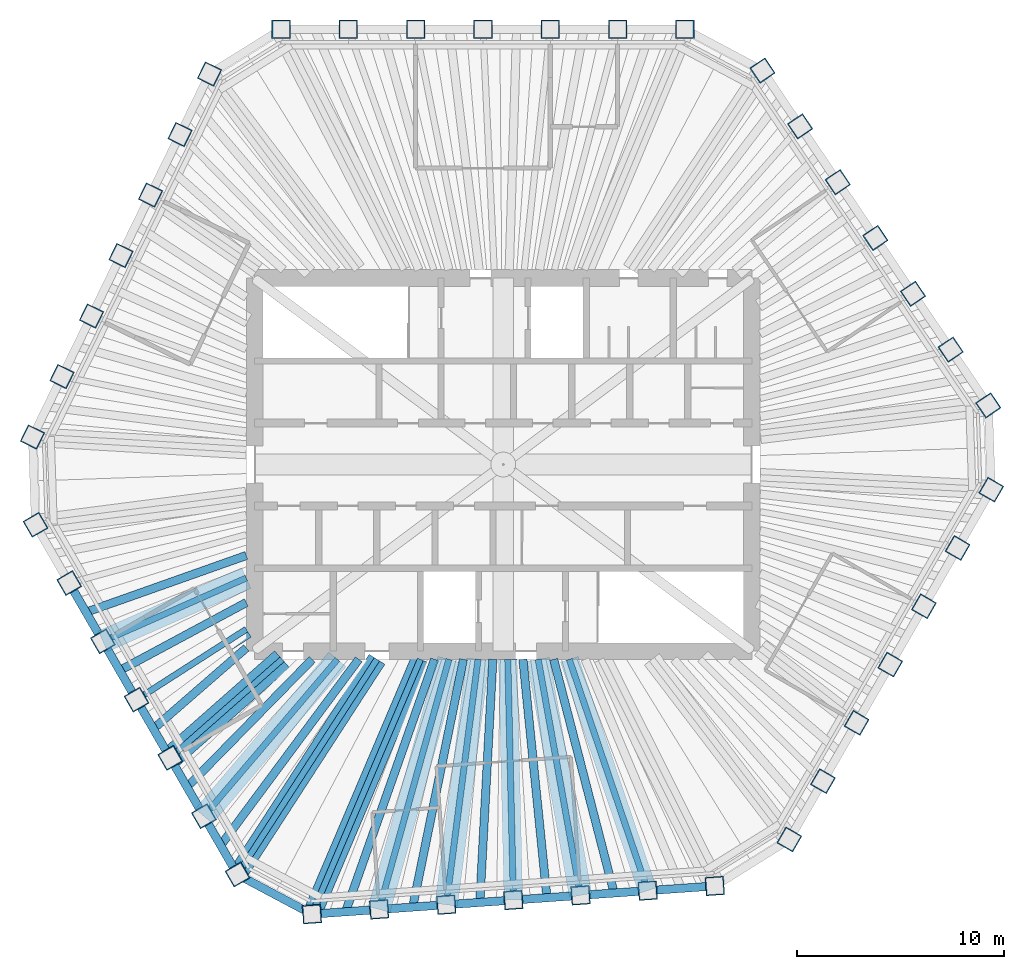
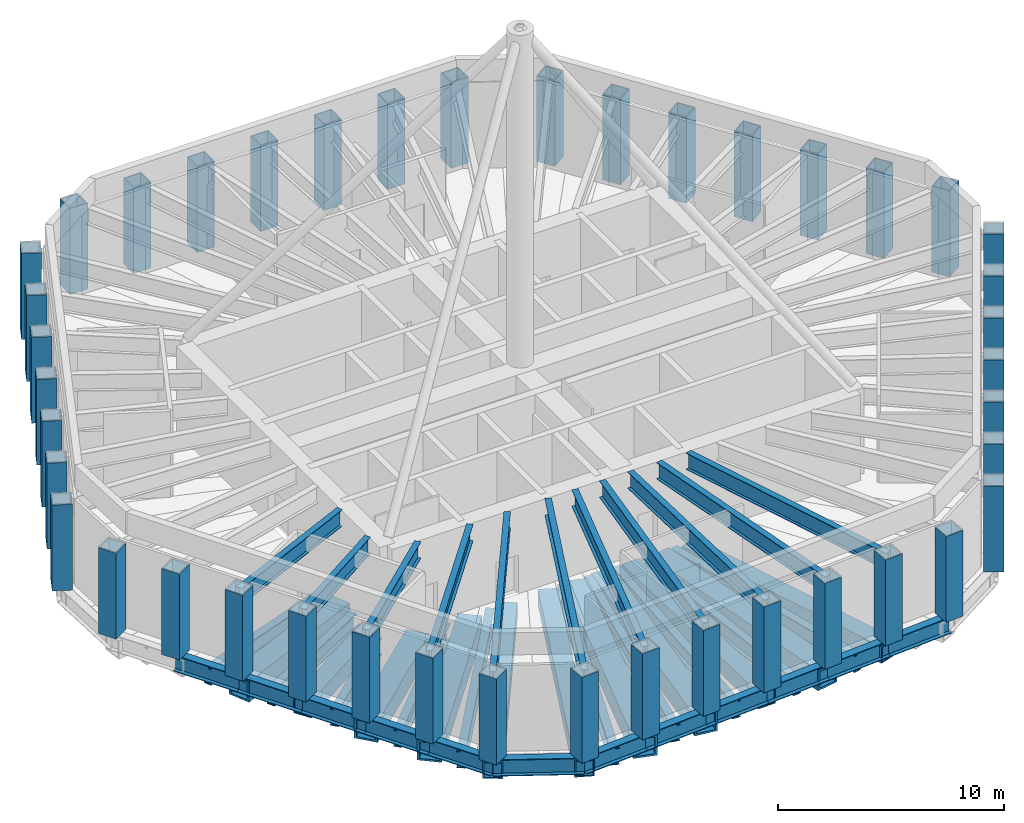
# One storey, part 1 of 9: 44 beams, 42 columns.
"""IFC4 building model written with IfcOpenShell, lengths in metres."""

from ifc_helpers import new_model, si_unit, direction, frame, origin, origin_2d, place, context, subcontext, project, spatial, hollow_rectangle, i_section, extrude, material, material_profile, profile_set, type_object, element, save


model = new_model("IFC4")

# Units and contexts
model_context = context("Model", 3, precision=1e-05, world=origin(), true_north=direction((0.0, 1.0)))
body_context = subcontext(model_context, "Body", "Model", "MODEL_VIEW")
ifc_project = project(units=[si_unit("LENGTHUNIT", "METRE"), si_unit("AREAUNIT", "SQUARE_METRE"), si_unit("VOLUMEUNIT", "CUBIC_METRE"), si_unit("PLANEANGLEUNIT", "RADIAN"), si_unit("MASSUNIT", "GRAM", prefix="KILO")], contexts=[model_context])

# Site, building, storey
site_placement = place(None, origin())
site = spatial("IfcSite", under=ifc_project, at=site_placement, CompositionType="ELEMENT")
building_placement = place(site_placement, origin())
building = spatial("IfcBuilding", under=site, at=building_placement, Name="Qingtian Harvest Tower", CompositionType="ELEMENT")
storey_placement = place(building_placement, frame((0.0, 0.0, 343.60009765625)))
storey = spatial("IfcBuildingStorey", under=building, at=storey_placement, Name="L76", CompositionType="ELEMENT", Elevation=343.60009765625)

# Columns
ifc_material_1 = material(Name="Steel SM570MC", Category="steel")
ifc_material_profile_1 = material_profile(ifc_material_1, hollow_rectangle(XDim=0.89990234375, YDim=0.89990234375, WallThickness=0.050048828125, at=origin_2d()), Name="BOX900x900x50")
ifc_profile_set_1 = profile_set([ifc_material_profile_1], Name="Steel SM570MC")
column_type = type_object("IfcColumnType", Name="Tube column TC8 BOX900x900x50", PredefinedType="COLUMN", material=ifc_profile_set_1)
for number, where, z_axis, x_axis, name in (
    (1, (-10.72216796875, 21.0, 0.0), (0.0, 0.0, 1.0), (-1.0, 0.0, 0.0), "Tube column TC8 N0"),
    (2, (-7.47412109375, 21.0, 0.0), (0.0, 0.0, 1.0), (-1.0, 0.0, 0.0), "Tube column TC8 N1"),
    (3, (-4.226318359375, 21.0, 0.0), (0.0, 0.0, 1.0), (-1.0, 0.0, 0.0), "Tube column TC8 N2"),
    (4, (-0.978271484375, 21.0, 0.0), (0.0, 0.0, 1.0), (-1.0, 0.0, 0.0), "Tube column TC8 N3"),
    (5, (2.269775390625, 21.0, 0.0), (0.0, 0.0, 1.0), (-1.0, 0.0, 0.0), "Tube column TC8 N4"),
    (6, (5.517822265625, 21.0, 0.0), (0.0, 0.0, 1.0), (-1.0, 0.0, 0.0), "Tube column TC8 N5"),
    (7, (8.765869140625, 21.0, 0.0), (0.0, 0.0, 1.0), (-1.0, 0.0, 0.0), "Tube column TC8 N6"),
    (8, (12.508056640625, 19.01025390625, 0.0), (0.0, 0.0, 1.0), (-0.559192903471, 0.829037572555, 0.0), "Tube column TC8 NE0"),
    (9, (14.32421875, 16.317626953125, 0.0), (0.0, 0.0, 1.0), (-0.559192903471, 0.829037572555, 0.0), "Tube column TC8 NE1"),
    (10, (16.140625, 13.624755859375, 0.0), (0.0, 0.0, 1.0), (-0.559192903471, 0.829037572555, 0.0), "Tube column TC8 NE2"),
    (11, (17.956787109375, 10.93212890625, 0.0), (0.0, 0.0, 1.0), (-0.559192903471, 0.829037572555, 0.0), "Tube column TC8 NE3"),
    (12, (19.77294921875, 8.2392578125, 0.0), (0.0, 0.0, 1.0), (-0.559192903471, 0.829037572555, 0.0), "Tube column TC8 NE4"),
    (13, (21.58935546875, 5.546630859375, 0.0), (0.0, 0.0, 1.0), (-0.559192903471, 0.829037572555, 0.0), "Tube column TC8 NE5"),
    (14, (23.405517578125, 2.85400390625, 0.0), (0.0, 0.0, 1.0), (-0.559192903471, 0.829037572555, 0.0), "Tube column TC8 NE6"),
    (15, (23.547607421875, -1.21435546875, 0.0), (0.0, 0.0, 1.0), (0.5, 0.866025403784, 0.0), "Tube column TC8 SE0"),
    (16, (21.923583984375, -4.027099609375, 0.0), (0.0, 0.0, 1.0), (0.5, 0.866025403784, 0.0), "Tube column TC8 SE1"),
    (17, (20.299560546875, -6.840087890625, 0.0), (0.0, 0.0, 1.0), (0.5, 0.866025403784, 0.0), "Tube column TC8 SE2"),
    (18, (18.675537109375, -9.65283203125, 0.0), (0.0, 0.0, 1.0), (0.5, 0.866025403784, 0.0), "Tube column TC8 SE3"),
    (19, (17.051513671875, -12.4658203125, 0.0), (0.0, 0.0, 1.0), (0.5, 0.866025403784, 0.0), "Tube column TC8 SE4"),
    (20, (15.427490234375, -15.278564453125, 0.0), (0.0, 0.0, 1.0), (0.5, 0.866025403784, 0.0), "Tube column TC8 SE5"),
    (21, (13.803466796875, -18.091552734375, 0.0), (0.0, 0.0, 1.0), (0.5, 0.866025403784, 0.0), "Tube column TC8 SE6"),
    (22, (10.20947265625, -20.33740234375, 0.0), (0.0, 0.0, 1.0), (0.99756405026, 0.069756473744, 0.0), "Tube column TC8 S0"),
    (23, (6.96923828125, -20.56396484375, 0.0), (0.0, 0.0, 1.0), (0.99756405026, 0.069756473744, 0.0), "Tube column TC8 S1"),
    (24, (3.729248046875, -20.79052734375, 0.0), (0.0, 0.0, 1.0), (0.99756405026, 0.069756473744, 0.0), "Tube column TC8 S2"),
    (25, (0.489013671875, -21.01708984375, 0.0), (0.0, 0.0, 1.0), (0.99756405026, 0.069756473744, 0.0), "Tube column TC8 S3"),
    (26, (-2.7509765625, -21.24365234375, 0.0), (0.0, 0.0, 1.0), (0.99756405026, 0.069756473744, 0.0), "Tube column TC8 S4"),
    (27, (-5.9912109375, -21.47021484375, 0.0), (0.0, 0.0, 1.0), (0.99756405026, 0.069756473744, 0.0), "Tube column TC8 S5"),
    (28, (-9.231201171875, -21.69677734375, 0.0), (0.0, 0.0, 1.0), (0.99756405026, 0.069756473744, 0.0), "Tube column TC8 S6"),
    (29, (-12.825439453125, -19.78564453125, 0.0), (0.0, 0.0, 1.0), (0.5, -0.866025403784, 0.0), "Tube column TC8 SW0"),
    (30, (-14.449462890625, -16.972900390625, 0.0), (0.0, 0.0, 1.0), (0.5, -0.866025403784, 0.0), "Tube column TC8 SW1"),
    (31, (-16.073486328125, -14.159912109375, 0.0), (0.0, 0.0, 1.0), (0.5, -0.866025403784, 0.0), "Tube column TC8 SW2"),
    (32, (-17.697509765625, -11.34716796875, 0.0), (0.0, 0.0, 1.0), (0.5, -0.866025403784, 0.0), "Tube column TC8 SW3"),
    (33, (-19.321533203125, -8.5341796875, 0.0), (0.0, 0.0, 1.0), (0.5, -0.866025403784, 0.0), "Tube column TC8 SW4"),
    (34, (-20.945556640625, -5.721435546875, 0.0), (0.0, 0.0, 1.0), (0.5, -0.866025403784, 0.0), "Tube column TC8 SW5"),
    (35, (-22.569580078125, -2.908447265625, 0.0), (0.0, 0.0, 1.0), (0.5, -0.866025403784, 0.0), "Tube column TC8 SW6"),
    (36, (-22.71728515625, 1.3271484375, 0.0), (0.0, 0.0, 1.0), (-0.438371146789, -0.898794046299, 0.0), "Tube column TC8 NW0"),
    (37, (-21.29345703125, 4.246337890625, 0.0), (0.0, 0.0, 1.0), (-0.438371146789, -0.898794046299, 0.0), "Tube column TC8 NW1"),
    (38, (-19.86962890625, 7.165771484375, 0.0), (0.0, 0.0, 1.0), (-0.438371146789, -0.898794046299, 0.0), "Tube column TC8 NW2"),
    (39, (-18.44580078125, 10.0849609375, 0.0), (0.0, 0.0, 1.0), (-0.438371146789, -0.898794046299, 0.0), "Tube column TC8 NW3"),
    (40, (-17.02197265625, 13.00439453125, 0.0), (0.0, 0.0, 1.0), (-0.438371146789, -0.898794046299, 0.0), "Tube column TC8 NW4"),
    (41, (-15.59814453125, 15.923583984375, 0.0), (0.0, 0.0, 1.0), (-0.438371146789, -0.898794046299, 0.0), "Tube column TC8 NW5"),
    (42, (-14.17431640625, 18.8427734375, 0.0), (0.0, 0.0, 1.0), (-0.438371146789, -0.898794046299, 0.0), "Tube column TC8 NW6"),
):
    element("IfcColumn", number, at=place(storey_placement, frame(where, z_axis=z_axis, x_axis=x_axis)), inside=storey, type_object=column_type, Name=name, PredefinedType="COLUMN", context=body_context, shape_type="SweptSolid", body=[
        extrude(hollow_rectangle(XDim=0.89990234375, YDim=0.89990234375, WallThickness=0.050048828125, at=origin_2d()), origin(), (0.0, 0.0, 1.0), 4.64990234375),
    ])

# Beams
ifc_material_2 = material(Name="Steel SN490B", Category="steel")
ifc_material_profile_2 = material_profile(ifc_material_2, i_section(OverallWidth=0.39990234375, OverallDepth=0.89990234375, WebThickness=0.01904296875, FlangeThickness=0.035888671875, at=origin_2d()), Name="H900x400x19x36")
ifc_profile_set_2 = profile_set([ifc_material_profile_2], Name="Steel SN490B")
beam_type_1 = type_object("IfcBeamType", Name="Floor joist J4 H900x400x19x36", PredefinedType="JOIST", material=ifc_profile_set_2)
beam_1_placement = place(storey_placement, frame((5.349365234375, -20.67724609375, -0.7001953125), z_axis=(-0.250457336117, 0.968127637652, 0.0), x_axis=(-0.968127637652, -0.250457336117, 0.0)))
element("IfcBeam", 43, at=beam_1_placement, inside=storey, type_object=beam_type_1, Name="Floor joist J4 S1", PredefinedType="JOIST", context=body_context, shape_type="SweptSolid", body=[
    extrude(i_section(OverallWidth=0.39990234375, OverallDepth=0.89990234375, WebThickness=0.01904296875, FlangeThickness=0.035888671875, at=origin_2d()), origin(), (0.0, 0.0, 1.0), 11.648681640625),
])
beam_2_placement = place(storey_placement, frame((2.109130859375, -20.90380859375, -0.7001953125), z_axis=(-0.100381738783, 0.994948996943, 0.0), x_axis=(-0.994948996943, -0.100381738783, 0.0)))
element("IfcBeam", 44, at=beam_2_placement, inside=storey, type_object=beam_type_1, Name="Floor joist J4 S2", PredefinedType="JOIST", context=body_context, shape_type="SweptSolid", body=[
    extrude(i_section(OverallWidth=0.39990234375, OverallDepth=0.89990234375, WebThickness=0.01904296875, FlangeThickness=0.035888671875, at=origin_2d()), origin(), (0.0, 0.0, 1.0), 11.562255859375),
])
beam_3_placement = place(storey_placement, frame((-1.130859375, -21.13037109375, -0.7001953125), z_axis=(0.053432551321, 0.998571460868, 0.0), x_axis=(-0.998571460868, 0.053432551321, 0.0)))
element("IfcBeam", 45, at=beam_3_placement, inside=storey, type_object=beam_type_1, Name="Floor joist J4 S3", PredefinedType="JOIST", context=body_context, shape_type="SweptSolid", body=[
    extrude(i_section(OverallWidth=0.39990234375, OverallDepth=0.89990234375, WebThickness=0.01904296875, FlangeThickness=0.035888671875, at=origin_2d()), origin(), (0.0, 0.0, 1.0), 11.747314453125),
])
beam_4_placement = place(storey_placement, frame((-4.37109375, -21.35693359375, -0.7001953125), z_axis=(0.200514926646, 0.97969064719, 0.0), x_axis=(-0.97969064719, 0.200514926646, 0.0)))
element("IfcBeam", 46, at=beam_4_placement, inside=storey, type_object=beam_type_1, Name="Floor joist J4 S4", PredefinedType="JOIST", context=body_context, shape_type="SweptSolid", body=[
    extrude(i_section(OverallWidth=0.39990234375, OverallDepth=0.89990234375, WebThickness=0.01904296875, FlangeThickness=0.035888671875, at=origin_2d()), origin(), (0.0, 0.0, 1.0), 12.204833984375),
])
beam_5_placement = place(storey_placement, frame((-7.611083984375, -21.58349609375, -0.7001953125), z_axis=(0.332565071267, 0.9430803112, 0.0), x_axis=(-0.9430803112, 0.332565071267, 0.0)))
element("IfcBeam", 47, at=beam_5_placement, inside=storey, type_object=beam_type_1, Name="Floor joist J4 S5", PredefinedType="JOIST", context=body_context, shape_type="SweptSolid", body=[
    extrude(i_section(OverallWidth=0.39990234375, OverallDepth=0.89990234375, WebThickness=0.01904296875, FlangeThickness=0.035888671875, at=origin_2d()), origin(), (0.0, 0.0, 1.0), 12.9189453125),
])
beam_6_placement = place(storey_placement, frame((-13.637451171875, -18.37939453125, -0.7001953125), z_axis=(0.595869637911, 0.803081175608, 0.0), x_axis=(-0.803081175608, 0.595869637911, 0.0)))
element("IfcBeam", 48, at=beam_6_placement, inside=storey, type_object=beam_type_1, Name="Floor joist J4 SW0", PredefinedType="JOIST", context=body_context, shape_type="SweptSolid", body=[
    extrude(i_section(OverallWidth=0.39990234375, OverallDepth=0.89990234375, WebThickness=0.01904296875, FlangeThickness=0.035888671875, at=origin_2d()), origin(), (0.0, 0.0, 1.0), 11.181396484375),
])
beam_7_placement = place(storey_placement, frame((-15.261474609375, -15.56640625, -0.7001953125), z_axis=(0.700075085428, 0.714069236673, 0.0), x_axis=(-0.714069236673, 0.700075085428, 0.0)))
element("IfcBeam", 49, at=beam_7_placement, inside=storey, type_object=beam_type_1, Name="Floor joist J4 SW1", PredefinedType="JOIST", context=body_context, shape_type="SweptSolid", body=[
    extrude(i_section(OverallWidth=0.39990234375, OverallDepth=0.89990234375, WebThickness=0.01904296875, FlangeThickness=0.035888671875, at=origin_2d()), origin(), (0.0, 0.0, 1.0), 8.6357421875),
])
beam_8_placement = place(storey_placement, frame((-16.885498046875, -12.753662109375, -0.7001953125), z_axis=(0.754351783553, 0.656470400437, 0.0), x_axis=(-0.656470400437, 0.754351783553, 0.0)))
element("IfcBeam", 50, at=beam_8_placement, inside=storey, type_object=beam_type_1, Name="Floor joist J4 SW2", PredefinedType="JOIST", context=body_context, shape_type="SweptSolid", body=[
    extrude(i_section(OverallWidth=0.39990234375, OverallDepth=0.89990234375, WebThickness=0.01904296875, FlangeThickness=0.035888671875, at=origin_2d()), origin(), (0.0, 0.0, 1.0), 5.9462890625),
])
beam_9_placement = place(storey_placement, frame((-18.509521484375, -9.940673828125, -0.7001953125), z_axis=(0.880999592364, 0.473117023847, 0.0), x_axis=(-0.473117023847, 0.880999592364, 0.0)))
element("IfcBeam", 51, at=beam_9_placement, inside=storey, type_object=beam_type_1, Name="Floor joist J4 SW3", PredefinedType="JOIST", context=body_context, shape_type="SweptSolid", body=[
    extrude(i_section(OverallWidth=0.39990234375, OverallDepth=0.89990234375, WebThickness=0.01904296875, FlangeThickness=0.035888671875, at=origin_2d()), origin(), (0.0, 0.0, 1.0), 6.934814453125),
])
beam_10_placement = place(storey_placement, frame((-20.133544921875, -7.1279296875, -0.7001953125), z_axis=(0.942664093486, 0.333743025174, 0.0), x_axis=(-0.333743025174, 0.942664093486, 0.0)))
element("IfcBeam", 52, at=beam_10_placement, inside=storey, type_object=beam_type_1, Name="Floor joist J4 SW4", PredefinedType="JOIST", context=body_context, shape_type="SweptSolid", body=[
    extrude(i_section(OverallWidth=0.39990234375, OverallDepth=0.89990234375, WebThickness=0.01904296875, FlangeThickness=0.035888671875, at=origin_2d()), origin(), (0.0, 0.0, 1.0), 8.2041015625),
])
ifc_material_3 = material(Name="Steel SM570MC", Category="steel")
ifc_material_profile_3 = material_profile(ifc_material_3, hollow_rectangle(XDim=0.89990234375, YDim=0.89990234375, WallThickness=0.06005859375, at=origin_2d()), Name="BOX900x900x60")
ifc_profile_set_3 = profile_set([ifc_material_profile_3], Name="Steel SM570MC")
beam_type_2 = type_object("IfcBeamType", Name="Outrigger chord beam OC1 BOX900x900x60", PredefinedType="BEAM", material=ifc_profile_set_3)
beam_11_placement = place(storey_placement, frame((6.96923828125, -20.56396484375, -0.7001953125), z_axis=(-0.320964658262, 0.947091172035, 0.0), x_axis=(-0.947091172035, -0.320964658262, 0.0)))
element("IfcBeam", 53, at=beam_11_placement, inside=storey, type_object=beam_type_2, Name="Floor beam OC1 S1", PredefinedType="BEAM", context=body_context, shape_type="SweptSolid", body=[
    extrude(hollow_rectangle(XDim=0.89990234375, YDim=0.89990234375, WallThickness=0.06005859375, at=origin_2d()), origin(), (0.0, 0.0, 1.0), 11.787841796875),
])
beam_12_placement = place(storey_placement, frame((0.489013671875, -21.01708984375, -0.7001953125), z_axis=(-0.023257829451, 0.9997295001, 0.0), x_axis=(-0.9997295001, -0.023257829451, 0.0)))
element("IfcBeam", 54, at=beam_12_placement, inside=storey, type_object=beam_type_2, Name="Floor beam OC1 S3", PredefinedType="BEAM", context=body_context, shape_type="SweptSolid", body=[
    extrude(hollow_rectangle(XDim=0.89990234375, YDim=0.89990234375, WallThickness=0.06005859375, at=origin_2d()), origin(), (0.0, 0.0, 1.0), 11.620361328125),
])
beam_13_placement = place(storey_placement, frame((-9.231201171875, -21.69677734375, -0.7001953125), z_axis=(0.391505797179, 0.920175641264, 0.0), x_axis=(-0.920175641264, 0.391505797179, 0.0)))
element("IfcBeam", 55, at=beam_13_placement, inside=storey, type_object=beam_type_2, Name="Floor beam OC1 S6", PredefinedType="BEAM", context=body_context, shape_type="SweptSolid", body=[
    extrude(hollow_rectangle(XDim=0.89990234375, YDim=0.89990234375, WallThickness=0.06005859375, at=origin_2d()), origin(), (0.0, 0.0, 1.0), 13.363525390625),
])
beam_14_placement = place(storey_placement, frame((-12.825439453125, -19.78564453125, -0.7001953125), z_axis=(0.543934037964, 0.839127977334, 0.0), x_axis=(-0.839127977334, 0.543934037964, 0.0)))
element("IfcBeam", 56, at=beam_14_placement, inside=storey, type_object=beam_type_2, Name="Floor beam OC1 SW0", PredefinedType="BEAM", context=body_context, shape_type="SweptSolid", body=[
    extrude(hollow_rectangle(XDim=0.89990234375, YDim=0.89990234375, WallThickness=0.06005859375, at=origin_2d()), origin(), (0.0, 0.0, 1.0), 12.376708984375),
])
beam_15_placement = place(storey_placement, frame((-17.697509765625, -11.34716796875, -0.7001953125), z_axis=(0.841819476537, 0.539759176785, 0.0), x_axis=(-0.539759176785, 0.841819476537, 0.0)))
element("IfcBeam", 57, at=beam_15_placement, inside=storey, type_object=beam_type_2, Name="Floor beam OC1 SW3", PredefinedType="BEAM", context=body_context, shape_type="SweptSolid", body=[
    extrude(hollow_rectangle(XDim=0.89990234375, YDim=0.89990234375, WallThickness=0.06005859375, at=origin_2d()), origin(), (0.0, 0.0, 1.0), 6.29296875),
])
ifc_material_4 = material(Name="Steel SN490B", Category="steel")
ifc_material_profile_4 = material_profile(ifc_material_4, i_section(OverallWidth=0.300048828125, OverallDepth=0.89990234375, WebThickness=0.01611328125, FlangeThickness=0.028076171875, at=origin_2d()), Name="H900x300x16x28")
ifc_profile_set_4 = profile_set([ifc_material_profile_4], Name="Steel SN490B")
beam_type_3 = type_object("IfcBeamType", Name="Roof beam RB1 H900x300x16x28", PredefinedType="BEAM", material=ifc_profile_set_4)
beam_16_placement = place(storey_placement, frame((6.96923828125, -20.56396484375, 4.199951171875), z_axis=(-0.320964658262, 0.947091172035, 0.0), x_axis=(-0.947091172035, -0.320964658262, 0.0)))
element("IfcBeam", 58, at=beam_16_placement, inside=storey, type_object=beam_type_3, Name="Roof beam RB1 S1", PredefinedType="BEAM", context=body_context, shape_type="SweptSolid", body=[
    extrude(i_section(OverallWidth=0.300048828125, OverallDepth=0.89990234375, WebThickness=0.01611328125, FlangeThickness=0.028076171875, at=origin_2d()), origin(), (0.0, 0.0, 1.0), 11.787841796875),
])
beam_17_placement = place(storey_placement, frame((3.729248046875, -20.79052734375, 4.199951171875), z_axis=(-0.176558725829, 0.984290107811, 0.0), x_axis=(-0.984290107811, -0.176558725829, 0.0)))
element("IfcBeam", 59, at=beam_17_placement, inside=storey, type_object=beam_type_3, Name="Roof beam RB1 S2", PredefinedType="BEAM", context=body_context, shape_type="SweptSolid", body=[
    extrude(i_section(OverallWidth=0.300048828125, OverallDepth=0.89990234375, WebThickness=0.01611328125, FlangeThickness=0.028076171875, at=origin_2d()), origin(), (0.0, 0.0, 1.0), 11.572509765625),
])
beam_18_placement = place(storey_placement, frame((0.489013671875, -21.01708984375, 4.199951171875), z_axis=(-0.023257829451, 0.9997295001, 0.0), x_axis=(-0.9997295001, -0.023257829451, 0.0)))
element("IfcBeam", 60, at=beam_18_placement, inside=storey, type_object=beam_type_3, Name="Roof beam RB1 S3", PredefinedType="BEAM", context=body_context, shape_type="SweptSolid", body=[
    extrude(i_section(OverallWidth=0.300048828125, OverallDepth=0.89990234375, WebThickness=0.01611328125, FlangeThickness=0.028076171875, at=origin_2d()), origin(), (0.0, 0.0, 1.0), 11.620361328125),
])
beam_19_placement = place(storey_placement, frame((-2.7509765625, -21.24365234375, 4.199951171875), z_axis=(0.128421483878, 0.991719679385, 0.0), x_axis=(-0.991719679385, 0.128421483878, 0.0)))
element("IfcBeam", 61, at=beam_19_placement, inside=storey, type_object=beam_type_3, Name="Roof beam RB1 S4", PredefinedType="BEAM", context=body_context, shape_type="SweptSolid", body=[
    extrude(i_section(OverallWidth=0.300048828125, OverallDepth=0.89990234375, WebThickness=0.01611328125, FlangeThickness=0.028076171875, at=origin_2d()), origin(), (0.0, 0.0, 1.0), 11.942626953125),
])
beam_20_placement = place(storey_placement, frame((-5.9912109375, -21.47021484375, 4.199951171875), z_axis=(0.268777110088, 0.963202400896, 0.0), x_axis=(-0.963202400896, 0.268777110088, 0.0)))
element("IfcBeam", 62, at=beam_20_placement, inside=storey, type_object=beam_type_3, Name="Roof beam RB1 S5", PredefinedType="BEAM", context=body_context, shape_type="SweptSolid", body=[
    extrude(i_section(OverallWidth=0.300048828125, OverallDepth=0.89990234375, WebThickness=0.01611328125, FlangeThickness=0.028076171875, at=origin_2d()), origin(), (0.0, 0.0, 1.0), 12.531494140625),
])
beam_21_placement = place(storey_placement, frame((-9.231201171875, -21.69677734375, 4.199951171875), z_axis=(0.391505797179, 0.920175641264, 0.0), x_axis=(-0.920175641264, 0.391505797179, 0.0)))
element("IfcBeam", 63, at=beam_21_placement, inside=storey, type_object=beam_type_3, Name="Roof beam RB1 S6", PredefinedType="BEAM", context=body_context, shape_type="SweptSolid", body=[
    extrude(i_section(OverallWidth=0.300048828125, OverallDepth=0.89990234375, WebThickness=0.01611328125, FlangeThickness=0.028076171875, at=origin_2d()), origin(), (0.0, 0.0, 1.0), 13.363525390625),
])
beam_22_placement = place(storey_placement, frame((-12.825439453125, -19.78564453125, 4.199951171875), z_axis=(0.543934037964, 0.839127977334, 0.0), x_axis=(-0.839127977334, 0.543934037964, 0.0)))
element("IfcBeam", 64, at=beam_22_placement, inside=storey, type_object=beam_type_3, Name="Roof beam RB1 SW0", PredefinedType="BEAM", context=body_context, shape_type="SweptSolid", body=[
    extrude(i_section(OverallWidth=0.300048828125, OverallDepth=0.89990234375, WebThickness=0.01611328125, FlangeThickness=0.028076171875, at=origin_2d()), origin(), (0.0, 0.0, 1.0), 12.376708984375),
])
beam_23_placement = place(storey_placement, frame((-14.449462890625, -16.972900390625, 4.199951171875), z_axis=(0.648230392117, 0.761444258457, 0.0), x_axis=(-0.761444258457, 0.648230392117, 0.0)))
element("IfcBeam", 65, at=beam_23_placement, inside=storey, type_object=beam_type_3, Name="Roof beam RB1 SW1", PredefinedType="BEAM", context=body_context, shape_type="SweptSolid", body=[
    extrude(i_section(OverallWidth=0.300048828125, OverallDepth=0.89990234375, WebThickness=0.01611328125, FlangeThickness=0.028076171875, at=origin_2d()), origin(), (0.0, 0.0, 1.0), 9.945556640625),
])
beam_24_placement = place(storey_placement, frame((-16.073486328125, -14.159912109375, 4.199951171875), z_axis=(0.750362998803, 0.661025997997, 0.0), x_axis=(-0.661025997997, 0.750362998803, 0.0)))
element("IfcBeam", 66, at=beam_24_placement, inside=storey, type_object=beam_type_3, Name="Roof beam RB1 SW2", PredefinedType="BEAM", context=body_context, shape_type="SweptSolid", body=[
    extrude(i_section(OverallWidth=0.300048828125, OverallDepth=0.89990234375, WebThickness=0.01611328125, FlangeThickness=0.028076171875, at=origin_2d()), origin(), (0.0, 0.0, 1.0), 7.200927734375),
])
beam_25_placement = place(storey_placement, frame((-17.697509765625, -11.34716796875, 4.199951171875), z_axis=(0.841819476537, 0.539759176785, 0.0), x_axis=(-0.539759176785, 0.841819476537, 0.0)))
element("IfcBeam", 67, at=beam_25_placement, inside=storey, type_object=beam_type_3, Name="Roof beam RB1 SW3", PredefinedType="BEAM", context=body_context, shape_type="SweptSolid", body=[
    extrude(i_section(OverallWidth=0.300048828125, OverallDepth=0.89990234375, WebThickness=0.01611328125, FlangeThickness=0.028076171875, at=origin_2d()), origin(), (0.0, 0.0, 1.0), 6.29296875),
])
beam_26_placement = place(storey_placement, frame((-19.321533203125, -8.5341796875, 4.199951171875), z_axis=(0.914748451897, 0.404023848, 0.0), x_axis=(-0.404023848, 0.914748451897, 0.0)))
element("IfcBeam", 68, at=beam_26_placement, inside=storey, type_object=beam_type_3, Name="Roof beam RB1 SW4", PredefinedType="BEAM", context=body_context, shape_type="SweptSolid", body=[
    extrude(i_section(OverallWidth=0.300048828125, OverallDepth=0.89990234375, WebThickness=0.01611328125, FlangeThickness=0.028076171875, at=origin_2d()), origin(), (0.0, 0.0, 1.0), 7.566650390625),
])
ifc_material_5 = material(Name="Steel SN490B", Category="steel")
ifc_material_profile_5 = material_profile(ifc_material_5, i_section(OverallWidth=0.39990234375, OverallDepth=0.89990234375, WebThickness=0.01904296875, FlangeThickness=0.035888671875, at=origin_2d()), Name="H900x400x19x36")
ifc_profile_set_5 = profile_set([ifc_material_profile_5], Name="Steel SN490B")
beam_type_4 = type_object("IfcBeamType", Name="Spandrel beam SB4 H900x400x19x36", PredefinedType="SPANDREL", material=ifc_profile_set_5)
beam_27_placement = place(storey_placement, frame((10.20947265625, -20.33740234375, -0.4501953125), z_axis=(-0.9975644093, -0.069751339047, 0.0), x_axis=(0.069751339047, -0.9975644093, 0.0)))
element("IfcBeam", 69, at=beam_27_placement, inside=storey, type_object=beam_type_4, Name="Spandrel SB4 S0", PredefinedType="SPANDREL", context=body_context, shape_type="SweptSolid", body=[
    extrude(i_section(OverallWidth=0.39990234375, OverallDepth=0.89990234375, WebThickness=0.01904296875, FlangeThickness=0.035888671875, at=origin_2d()), origin(), (0.0, 0.0, 1.0), 3.248046875),
])
beam_28_placement = place(storey_placement, frame((6.96923828125, -20.56396484375, -0.4501953125), z_axis=(-0.997564043571, -0.069756569394, 0.0), x_axis=(0.069756569394, -0.997564043571, 0.0)))
element("IfcBeam", 70, at=beam_28_placement, inside=storey, type_object=beam_type_4, Name="Spandrel SB4 S1", PredefinedType="SPANDREL", context=body_context, shape_type="SweptSolid", body=[
    extrude(i_section(OverallWidth=0.39990234375, OverallDepth=0.89990234375, WebThickness=0.01904296875, FlangeThickness=0.035888671875, at=origin_2d()), origin(), (0.0, 0.0, 1.0), 3.247802734375),
])
beam_29_placement = place(storey_placement, frame((3.729248046875, -20.79052734375, -0.4501953125), z_axis=(-0.9975644093, -0.069751339047, 0.0), x_axis=(0.069751339047, -0.9975644093, 0.0)))
element("IfcBeam", 71, at=beam_29_placement, inside=storey, type_object=beam_type_4, Name="Spandrel SB4 S2", PredefinedType="SPANDREL", context=body_context, shape_type="SweptSolid", body=[
    extrude(i_section(OverallWidth=0.39990234375, OverallDepth=0.89990234375, WebThickness=0.01904296875, FlangeThickness=0.035888671875, at=origin_2d()), origin(), (0.0, 0.0, 1.0), 3.248046875),
])
beam_30_placement = place(storey_placement, frame((0.489013671875, -21.01708984375, -0.4501953125), z_axis=(-0.997564043571, -0.069756569394, 0.0), x_axis=(0.069756569394, -0.997564043571, 0.0)))
element("IfcBeam", 72, at=beam_30_placement, inside=storey, type_object=beam_type_4, Name="Spandrel SB4 S3", PredefinedType="SPANDREL", context=body_context, shape_type="SweptSolid", body=[
    extrude(i_section(OverallWidth=0.39990234375, OverallDepth=0.89990234375, WebThickness=0.01904296875, FlangeThickness=0.035888671875, at=origin_2d()), origin(), (0.0, 0.0, 1.0), 3.247802734375),
])
beam_31_placement = place(storey_placement, frame((-2.7509765625, -21.24365234375, -0.4501953125), z_axis=(-0.9975644093, -0.069751339047, 0.0), x_axis=(0.069751339047, -0.9975644093, 0.0)))
element("IfcBeam", 73, at=beam_31_placement, inside=storey, type_object=beam_type_4, Name="Spandrel SB4 S4", PredefinedType="SPANDREL", context=body_context, shape_type="SweptSolid", body=[
    extrude(i_section(OverallWidth=0.39990234375, OverallDepth=0.89990234375, WebThickness=0.01904296875, FlangeThickness=0.035888671875, at=origin_2d()), origin(), (0.0, 0.0, 1.0), 3.248046875),
])
beam_32_placement = place(storey_placement, frame((-5.9912109375, -21.47021484375, -0.4501953125), z_axis=(-0.997564043571, -0.069756569394, 0.0), x_axis=(0.069756569394, -0.997564043571, 0.0)))
element("IfcBeam", 74, at=beam_32_placement, inside=storey, type_object=beam_type_4, Name="Spandrel SB4 S5", PredefinedType="SPANDREL", context=body_context, shape_type="SweptSolid", body=[
    extrude(i_section(OverallWidth=0.39990234375, OverallDepth=0.89990234375, WebThickness=0.01904296875, FlangeThickness=0.035888671875, at=origin_2d()), origin(), (0.0, 0.0, 1.0), 3.247802734375),
])
beam_33_placement = place(storey_placement, frame((-9.231201171875, -21.69677734375, -0.4501953125), z_axis=(-0.882943273379, 0.469479686456, 0.0), x_axis=(-0.469479686456, -0.882943273379, 0.0)))
element("IfcBeam", 75, at=beam_33_placement, inside=storey, type_object=beam_type_4, Name="Spandrel SB4 SC", PredefinedType="SPANDREL", context=body_context, shape_type="SweptSolid", body=[
    extrude(i_section(OverallWidth=0.39990234375, OverallDepth=0.89990234375, WebThickness=0.01904296875, FlangeThickness=0.035888671875, at=origin_2d()), origin(), (0.0, 0.0, 1.0), 4.07080078125),
])
beam_34_placement = place(storey_placement, frame((-12.825439453125, -19.78564453125, -0.4501953125), z_axis=(-0.500019593356, 0.866014091259, 0.0), x_axis=(-0.866014091259, -0.500019593356, 0.0)))
element("IfcBeam", 76, at=beam_34_placement, inside=storey, type_object=beam_type_4, Name="Spandrel SB4 SW0", PredefinedType="SPANDREL", context=body_context, shape_type="SweptSolid", body=[
    extrude(i_section(OverallWidth=0.39990234375, OverallDepth=0.89990234375, WebThickness=0.01904296875, FlangeThickness=0.035888671875, at=origin_2d()), origin(), (0.0, 0.0, 1.0), 3.247802734375),
])
beam_35_placement = place(storey_placement, frame((-14.449462890625, -16.972900390625, -0.4501953125), z_axis=(-0.499987045439, 0.866032882975, 0.0), x_axis=(-0.866032882975, -0.499987045439, 0.0)))
element("IfcBeam", 77, at=beam_35_placement, inside=storey, type_object=beam_type_4, Name="Spandrel SB4 SW1", PredefinedType="SPANDREL", context=body_context, shape_type="SweptSolid", body=[
    extrude(i_section(OverallWidth=0.39990234375, OverallDepth=0.89990234375, WebThickness=0.01904296875, FlangeThickness=0.035888671875, at=origin_2d()), origin(), (0.0, 0.0, 1.0), 3.248046875),
])
beam_36_placement = place(storey_placement, frame((-16.073486328125, -14.159912109375, -0.4501953125), z_axis=(-0.500019593356, 0.866014091259, 0.0), x_axis=(-0.866014091259, -0.500019593356, 0.0)))
element("IfcBeam", 78, at=beam_36_placement, inside=storey, type_object=beam_type_4, Name="Spandrel SB4 SW2", PredefinedType="SPANDREL", context=body_context, shape_type="SweptSolid", body=[
    extrude(i_section(OverallWidth=0.39990234375, OverallDepth=0.89990234375, WebThickness=0.01904296875, FlangeThickness=0.035888671875, at=origin_2d()), origin(), (0.0, 0.0, 1.0), 3.247802734375),
])
beam_37_placement = place(storey_placement, frame((-17.697509765625, -11.34716796875, -0.4501953125), z_axis=(-0.499987045439, 0.866032882975, 0.0), x_axis=(-0.866032882975, -0.499987045439, 0.0)))
element("IfcBeam", 79, at=beam_37_placement, inside=storey, type_object=beam_type_4, Name="Spandrel SB4 SW3", PredefinedType="SPANDREL", context=body_context, shape_type="SweptSolid", body=[
    extrude(i_section(OverallWidth=0.39990234375, OverallDepth=0.89990234375, WebThickness=0.01904296875, FlangeThickness=0.035888671875, at=origin_2d()), origin(), (0.0, 0.0, 1.0), 3.248046875),
])
beam_38_placement = place(storey_placement, frame((-19.321533203125, -8.5341796875, -0.4501953125), z_axis=(-0.500019593356, 0.866014091259, 0.0), x_axis=(-0.866014091259, -0.500019593356, 0.0)))
element("IfcBeam", 80, at=beam_38_placement, inside=storey, type_object=beam_type_4, Name="Spandrel SB4 SW4", PredefinedType="SPANDREL", context=body_context, shape_type="SweptSolid", body=[
    extrude(i_section(OverallWidth=0.39990234375, OverallDepth=0.89990234375, WebThickness=0.01904296875, FlangeThickness=0.035888671875, at=origin_2d()), origin(), (0.0, 0.0, 1.0), 3.247802734375),
])
ifc_material_6 = material(Name="Steel SM570MC", Category="steel")
ifc_material_profile_6 = material_profile(ifc_material_6, hollow_rectangle(XDim=1.10009765625, YDim=1.10009765625, WallThickness=0.10009765625, at=origin_2d()), Name="BOX1100x1100x100")
ifc_profile_set_6 = profile_set([ifc_material_profile_6], Name="Steel SM570MC")
beam_type_5 = type_object("IfcBeamType", Name="Transfer floor beam FB9 BOX1100x1100x100", PredefinedType="BEAM", material=ifc_profile_set_6)
beam_39_placement = place(storey_placement, frame((3.729248046875, -20.79052734375, -0.800048828125), z_axis=(-0.176558725829, 0.984290107811, 0.0), x_axis=(-0.984290107811, -0.176558725829, 0.0)))
element("IfcBeam", 81, at=beam_39_placement, inside=storey, type_object=beam_type_5, Name="Floor beam FB9 S2", PredefinedType="BEAM", context=body_context, shape_type="SweptSolid", body=[
    extrude(hollow_rectangle(XDim=1.10009765625, YDim=1.10009765625, WallThickness=0.10009765625, at=origin_2d()), origin(), (0.0, 0.0, 1.0), 11.572509765625),
])
beam_40_placement = place(storey_placement, frame((-2.7509765625, -21.24365234375, -0.800048828125), z_axis=(0.128421483878, 0.991719679385, 0.0), x_axis=(-0.991719679385, 0.128421483878, 0.0)))
element("IfcBeam", 82, at=beam_40_placement, inside=storey, type_object=beam_type_5, Name="Floor beam FB9 S4", PredefinedType="BEAM", context=body_context, shape_type="SweptSolid", body=[
    extrude(hollow_rectangle(XDim=1.10009765625, YDim=1.10009765625, WallThickness=0.10009765625, at=origin_2d()), origin(), (0.0, 0.0, 1.0), 11.942626953125),
])
beam_41_placement = place(storey_placement, frame((-5.9912109375, -21.47021484375, -0.800048828125), z_axis=(0.268777110088, 0.963202400896, 0.0), x_axis=(-0.963202400896, 0.268777110088, 0.0)))
element("IfcBeam", 83, at=beam_41_placement, inside=storey, type_object=beam_type_5, Name="Floor beam FB9 S5", PredefinedType="BEAM", context=body_context, shape_type="SweptSolid", body=[
    extrude(hollow_rectangle(XDim=1.10009765625, YDim=1.10009765625, WallThickness=0.10009765625, at=origin_2d()), origin(), (0.0, 0.0, 1.0), 12.531494140625),
])
beam_42_placement = place(storey_placement, frame((-14.449462890625, -16.972900390625, -0.800048828125), z_axis=(0.648230392117, 0.761444258457, 0.0), x_axis=(-0.761444258457, 0.648230392117, 0.0)))
element("IfcBeam", 84, at=beam_42_placement, inside=storey, type_object=beam_type_5, Name="Floor beam FB9 SW1", PredefinedType="BEAM", context=body_context, shape_type="SweptSolid", body=[
    extrude(hollow_rectangle(XDim=1.10009765625, YDim=1.10009765625, WallThickness=0.10009765625, at=origin_2d()), origin(), (0.0, 0.0, 1.0), 9.945556640625),
])
beam_43_placement = place(storey_placement, frame((-16.073486328125, -14.159912109375, -0.800048828125), z_axis=(0.750362998803, 0.661025997997, 0.0), x_axis=(-0.661025997997, 0.750362998803, 0.0)))
element("IfcBeam", 85, at=beam_43_placement, inside=storey, type_object=beam_type_5, Name="Floor beam FB9 SW2", PredefinedType="BEAM", context=body_context, shape_type="SweptSolid", body=[
    extrude(hollow_rectangle(XDim=1.10009765625, YDim=1.10009765625, WallThickness=0.10009765625, at=origin_2d()), origin(), (0.0, 0.0, 1.0), 7.200927734375),
])
beam_44_placement = place(storey_placement, frame((-19.321533203125, -8.5341796875, -0.800048828125), z_axis=(0.914748451897, 0.404023848, 0.0), x_axis=(-0.404023848, 0.914748451897, 0.0)))
element("IfcBeam", 86, at=beam_44_placement, inside=storey, type_object=beam_type_5, Name="Floor beam FB9 SW4", PredefinedType="BEAM", context=body_context, shape_type="SweptSolid", body=[
    extrude(hollow_rectangle(XDim=1.10009765625, YDim=1.10009765625, WallThickness=0.10009765625, at=origin_2d()), origin(), (0.0, 0.0, 1.0), 7.566650390625),
])

save(model, "model.ifc")
